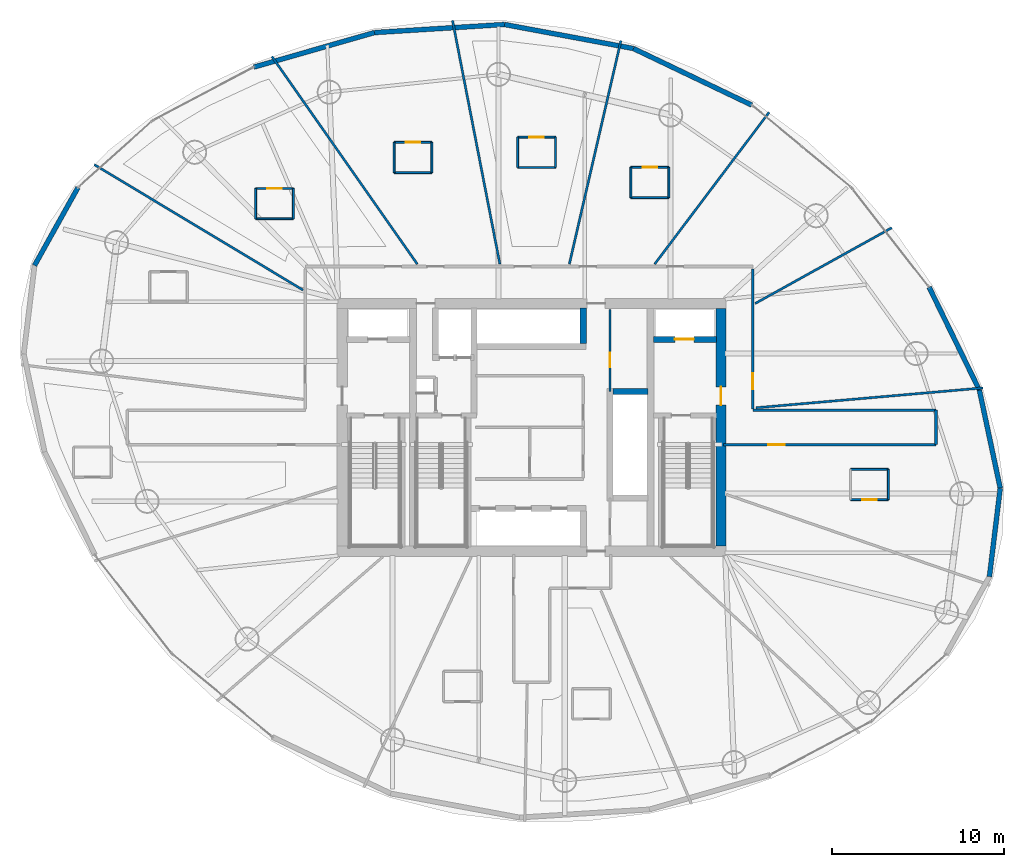
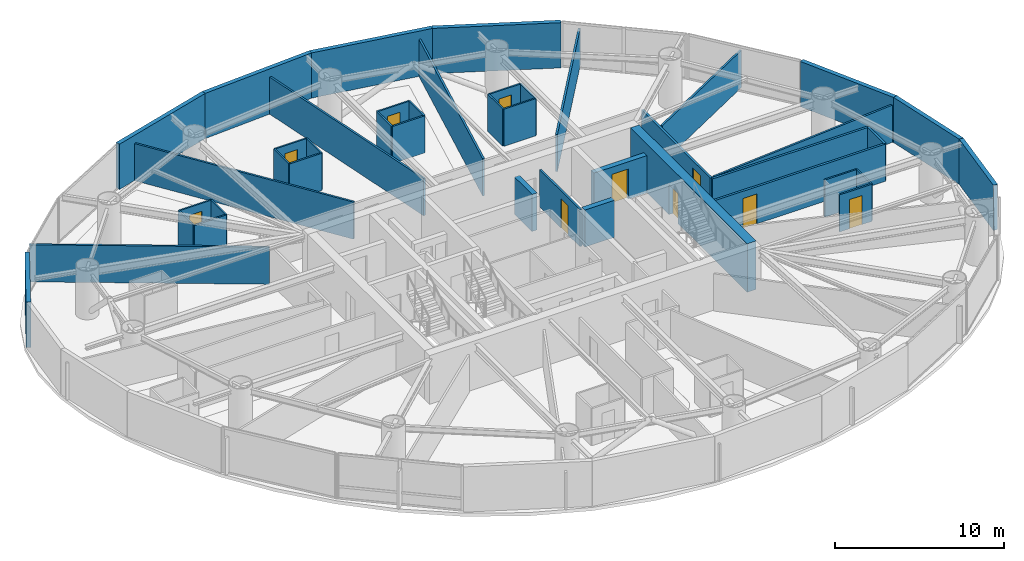
# One storey, part 16 of 20: 43 walls, 10 doors, 10 openings.
"""IFC4 building model written with IfcOpenShell, lengths in metres."""

from ifc_helpers import new_model, si_unit, direction, frame, frame_2d, origin, place, context, subcontext, project, spatial, rectangle, extrude, material, layer, layer_set, type_object, element, fill, save


model = new_model("IFC4")

# Units and contexts
model_context = context("Model", 3, precision=1e-05, world=origin(), true_north=direction((0.0, 1.0)))
body_context = subcontext(model_context, "Body", "Model", "MODEL_VIEW")
ifc_project = project(units=[si_unit("LENGTHUNIT", "METRE"), si_unit("AREAUNIT", "SQUARE_METRE"), si_unit("VOLUMEUNIT", "CUBIC_METRE"), si_unit("PLANEANGLEUNIT", "RADIAN"), si_unit("MASSUNIT", "GRAM", prefix="KILO")], contexts=[model_context])

# Site, building, storey
site_placement = place(None, origin())
site = spatial("IfcSite", under=ifc_project, at=site_placement, CompositionType="ELEMENT")
building_placement = place(site_placement, origin())
building = spatial("IfcBuilding", under=site, at=building_placement, Name="Bramvorn Convention Spire", CompositionType="ELEMENT")
storey_placement = place(building_placement, frame((0.0, 0.0, 106.300048828125)))
storey = spatial("IfcBuildingStorey", under=building, at=storey_placement, Name="L25", CompositionType="ELEMENT", Elevation=106.300048828125)

# Wall, opening, door
ifc_material_1 = material(Name="Concrete C60/70", Category="concrete")
ifc_layer_1 = layer(ifc_material_1, 0.60009765625)
ifc_layer_set_1 = layer_set([ifc_layer_1], Name="Concrete C60/70 - WL-CORE-600")
wall_type_1 = type_object("IfcWallType", Name="WL-CORE-600", PredefinedType="SHEAR", material=ifc_layer_set_1)
wall_1_placement = place(storey_placement, frame((49.0, 19.10009765625, 0.0), z_axis=(0.0, 0.0, 1.0), x_axis=(0.0, 1.0, 0.0)))
wall_1 = element("IfcWall", 1, at=wall_1_placement, inside=storey, type_object=wall_type_1, Name="L25 East RC core shear wall", PredefinedType="SHEAR", context=body_context, shape_type="SweptSolid", body=[
    extrude(rectangle(XDim=13.7998046875, YDim=0.60009765625, at=frame_2d((6.89990234375, 0.0))), origin(), (0.0, 0.0, 1.0), 3.5),
])
opening_1_placement = place(wall_1_placement, frame((8.199951171875, 0.0, 0.0)))
opening_1 = element("IfcOpeningElement", 2, at=opening_1_placement, cuts=wall_1, Name="Opening DL-105", PredefinedType="OPENING", context=body_context, shape_type="SweptSolid", body=[
    extrude(rectangle(XDim=1.050048828125, YDim=2.14990234375, at=frame_2d((0.52490234375, 1.074951171875))), frame((0.0, 0.31005859375, 0.0), z_axis=(0.0, -1.0, 0.0), x_axis=(1.0, 0.0, 0.0)), (0.0, 0.0, 1.0), 0.6201171875),
])
ifc_material_2 = material(Name="Smoke-Sealed Fire Lobby Timber-Core Door", Category="wood")
door_type_1 = type_object("IfcDoorType", Name="DR-LOBBY-1050", OperationType="NOTDEFINED", PredefinedType="DOOR", material=ifc_material_2)
door_1_placement = place(opening_1_placement, origin())
door_1 = element("IfcDoor", 3, at=door_1_placement, inside=storey, type_object=door_type_1, Name="L25 East Firefighting Lobby corridor door", OperationType="SINGLE_SWING_LEFT", OverallHeight=2.14990234375, OverallWidth=1.050048828125, PredefinedType="DOOR", context=body_context, shape_type="SweptSolid", body=[
    extrude(rectangle(XDim=1.050048828125, YDim=2.14990234375, at=frame_2d((0.52490234375, 1.074951171875))), frame((0.0, 0.02490234375, 0.0), z_axis=(0.0, -1.0, 0.0), x_axis=(1.0, 0.0, 0.0)), (0.0, 0.0, 1.0), 0.050048828125),
])
fill(opening_1, door_1)

ifc_material_3 = material(Name="Concrete C50/60", Category="concrete")
ifc_layer_2 = layer(ifc_material_3, 0.35009765625)
ifc_layer_set_2 = layer_set([ifc_layer_2], Name="Concrete C50/60 - WL-CORE-INT-350")
wall_type_2 = type_object("IfcWallType", Name="WL-CORE-INT-350", PredefinedType="SHEAR", material=ifc_layer_set_2)
wall_2_placement = place(storey_placement, frame((45.080078125, 31.1201171875, 0.0), z_axis=(0.0, 0.0, 1.0), x_axis=(1.0, 0.0, 0.0)))
wall_2 = element("IfcWall", 4, at=wall_2_placement, inside=storey, type_object=wall_type_2, Name="L25 FE2 shaft front wall", PredefinedType="SHEAR", context=body_context, shape_type="SweptSolid", body=[
    extrude(rectangle(XDim=3.669921875, YDim=0.35009765625, at=frame_2d((1.8349609375, 0.0))), origin(), (0.0, 0.0, 1.0), 2.675048828125),
])
opening_2_placement = place(wall_2_placement, frame((1.25, 0.0, 0.0)))
opening_2 = element("IfcOpeningElement", 5, at=opening_2_placement, cuts=wall_2, Name="Opening LD-110", PredefinedType="OPENING", context=body_context, shape_type="SweptSolid", body=[
    extrude(rectangle(XDim=1.10009765625, YDim=2.14990234375, at=frame_2d((0.550048828125, 1.074951171875))), frame((0.0, 0.18505859375, 0.0), z_axis=(0.0, -1.0, 0.0), x_axis=(1.0, 0.0, 0.0)), (0.0, 0.0, 1.0), 0.3701171875),
])
ifc_material_4 = material(Name="Firefighting & Service Lift Sliding Landing Door", Category="steel")
door_type_2 = type_object("IfcDoorType", Name="DR-LIFT-LD-1100", OperationType="NOTDEFINED", PredefinedType="DOOR", material=ifc_material_4)
door_2_placement = place(opening_2_placement, origin())
door_2 = element("IfcDoor", 6, at=door_2_placement, inside=storey, type_object=door_type_2, Name="L25 Lift FE2 Sliding Landing Door", OperationType="SLIDING_TO_LEFT", OverallHeight=2.14990234375, OverallWidth=1.10009765625, PredefinedType="DOOR", context=body_context, shape_type="SweptSolid", body=[
    extrude(rectangle(XDim=1.10009765625, YDim=2.14990234375, at=frame_2d((0.550048828125, 1.074951171875))), frame((0.0, 0.02490234375, 0.0), z_axis=(0.0, -1.0, 0.0), x_axis=(1.0, 0.0, 0.0)), (0.0, 0.0, 1.0), 0.050048828125),
])
fill(opening_2, door_2)

# Walls
wall_3_placement = place(storey_placement, frame((42.719970703125, 28.10009765625, 0.0), z_axis=(0.0, 0.0, 1.0), x_axis=(1.0, 0.0, 0.0)))
element("IfcWall", 7, at=wall_3_placement, inside=storey, type_object=wall_type_2, Name="L25 High-rise lift bank north wall", PredefinedType="SHEAR", context=body_context, shape_type="SweptSolid", body=[
    extrude(rectangle(XDim=2.030029296875, YDim=0.35009765625, at=frame_2d((1.01513671875, 0.0))), origin(), (0.0, 0.0, 1.0), 2.675048828125),
])
wall_4_placement = place(storey_placement, frame((41.0, 30.8701171875, 0.0), z_axis=(0.0, 0.0, 1.0), x_axis=(0.0, 1.0, 0.0)))
element("IfcWall", 8, at=wall_4_placement, inside=storey, type_object=wall_type_2, Name="L25 Low-rise bank east cheek wall", PredefinedType="SHEAR", context=body_context, shape_type="SweptSolid", body=[
    extrude(rectangle(XDim=2.079833984375, YDim=0.35009765625, at=frame_2d((1.0400390625, 0.0))), origin(), (0.0, 0.0, 1.0), 2.675048828125),
])
ifc_material_5 = material(Name="Precast Concrete C40/50 with Bronze Terracotta Rainscreen", Category="masonry")
ifc_layer_3 = layer(ifc_material_5, 0.300048828125)
ifc_layer_set_3 = layer_set([ifc_layer_3], Name="Precast Concrete C40/50 with Bronze Terracotta Rainscreen - WL-EXT-BRONZE-300")
wall_type_3 = type_object("IfcWallType", Name="WL-EXT-BRONZE-300", PredefinedType="SOLIDWALL", material=ifc_layer_set_3)
wall_5_placement = place(storey_placement, frame((65.23095703125, 22.466552734375, 0.0), z_axis=(0.0, 0.0, 1.0), x_axis=(-0.121357138015, -0.992608908409, 0.0)))
element("IfcWall", 9, at=wall_5_placement, inside=storey, type_object=wall_type_3, Name="L25 expressed bronze Gothic lancet pier wall 01", PredefinedType="SOLIDWALL", context=body_context, shape_type="SweptSolid", body=[
    extrude(rectangle(XDim=5.17431640625, YDim=0.280029296875, at=frame_2d((2.587158203125, 0.0))), origin(), (0.0, 0.0, 1.0), 3.260009765625),
])
wall_6_placement = place(storey_placement, frame((64.021240234375, 28.162109375, 0.0), z_axis=(0.0, 0.0, 1.0), x_axis=(0.207761969704, -0.978179412963, 0.0)))
element("IfcWall", 10, at=wall_6_placement, inside=storey, type_object=wall_type_3, Name="L25 expressed bronze Gothic lancet pier wall 02", PredefinedType="SOLIDWALL", context=body_context, shape_type="SweptSolid", body=[
    extrude(rectangle(XDim=5.822509765625, YDim=0.280029296875, at=frame_2d((2.9111328125, 0.0))), origin(), (0.0, 0.0, 1.0), 3.260009765625),
])
wall_7_placement = place(storey_placement, frame((61.095458984375, 34.15087890625, 0.0), z_axis=(0.0, 0.0, 1.0), x_axis=(0.438960472237, -0.89850637383, 0.0)))
element("IfcWall", 11, at=wall_7_placement, inside=storey, type_object=wall_type_3, Name="L25 expressed bronze Gothic lancet pier wall 03", PredefinedType="SOLIDWALL", context=body_context, shape_type="SweptSolid", body=[
    extrude(rectangle(XDim=6.665283203125, YDim=0.280029296875, at=frame_2d((3.33251953125, 0.0))), origin(), (0.0, 0.0, 1.0), 3.260009765625),
])
wall_8_placement = place(storey_placement, frame((43.9130859375, 48.017822265625, 0.0), z_axis=(0.0, 0.0, 1.0), x_axis=(0.902228031643, -0.431259294298, 0.0)))
element("IfcWall", 12, at=wall_8_placement, inside=storey, type_object=wall_type_3, Name="L25 expressed bronze Gothic lancet pier wall 06", PredefinedType="SOLIDWALL", context=body_context, shape_type="SweptSolid", body=[
    extrude(rectangle(XDim=7.61767578125, YDim=0.280029296875, at=frame_2d((3.808837890625, 0.0))), origin(), (0.0, 0.0, 1.0), 3.260009765625),
])
wall_9_placement = place(storey_placement, frame((36.424560546875, 49.412841796875, 0.0), z_axis=(0.0, 0.0, 1.0), x_axis=(0.98308740038, -0.183137006676, 0.0)))
element("IfcWall", 13, at=wall_9_placement, inside=storey, type_object=wall_type_3, Name="L25 expressed bronze Gothic lancet pier wall 07", PredefinedType="SOLIDWALL", context=body_context, shape_type="SweptSolid", body=[
    extrude(rectangle(XDim=7.617431640625, YDim=0.280029296875, at=frame_2d((3.80859375, 0.0))), origin(), (0.0, 0.0, 1.0), 3.260009765625),
])
wall_10_placement = place(storey_placement, frame((28.869873046875, 48.944091796875, 0.0), z_axis=(0.0, 0.0, 1.0), x_axis=(0.99808058992, 0.061928475073, 0.0)))
element("IfcWall", 14, at=wall_10_placement, inside=storey, type_object=wall_type_3, Name="L25 expressed bronze Gothic lancet pier wall 08", PredefinedType="SOLIDWALL", context=body_context, shape_type="SweptSolid", body=[
    extrude(rectangle(XDim=7.5693359375, YDim=0.280029296875, at=frame_2d((3.78466796875, 0.0))), origin(), (0.0, 0.0, 1.0), 3.260009765625),
])
wall_11_placement = place(storey_placement, frame((21.859619140625, 46.937255859375, 0.0), z_axis=(0.0, 0.0, 1.0), x_axis=(0.961382314176, 0.275216362141, 0.0)))
element("IfcWall", 15, at=wall_11_placement, inside=storey, type_object=wall_type_3, Name="L25 expressed bronze Gothic lancet pier wall 09", PredefinedType="SOLIDWALL", context=body_context, shape_type="SweptSolid", body=[
    extrude(rectangle(XDim=7.291748046875, YDim=0.280029296875, at=frame_2d((3.64599609375, 0.0))), origin(), (0.0, 0.0, 1.0), 3.260009765625),
])
wall_12_placement = place(storey_placement, frame((9.114990234375, 35.4130859375, 0.0), z_axis=(0.0, 0.0, 1.0), x_axis=(0.486776225007, 0.873526706385, 0.0)))
element("IfcWall", 16, at=wall_12_placement, inside=storey, type_object=wall_type_3, Name="L25 expressed bronze Gothic lancet pier wall 12", PredefinedType="SOLIDWALL", context=body_context, shape_type="SweptSolid", body=[
    extrude(rectangle(XDim=5.174560546875, YDim=0.280029296875, at=frame_2d((2.58740234375, 0.0))), origin(), (0.0, 0.0, 1.0), 3.260009765625),
])
ifc_material_6 = material(Name="Lightweight En-Suite & Wet-Wall Partition", Category="gypsum")
ifc_layer_4 = layer(ifc_material_6, 0.110107421875)
ifc_layer_set_4 = layer_set([ifc_layer_4], Name="Lightweight En-Suite & Wet-Wall Partition - WL-PART-110")
wall_type_4 = type_object("IfcWallType", Name="WL-PART-110", PredefinedType="PARTITIONING", material=ifc_layer_set_4)
wall_13_placement = place(storey_placement, frame((43.77099609375, 39.3544921875, 0.0), z_axis=(0.0, 0.0, 1.0), x_axis=(1.0, 0.0, 0.0)))
element("IfcWall", 17, at=wall_13_placement, inside=storey, type_object=wall_type_4, Name="Hotel Suite 2503 en-suite south wall", PredefinedType="PARTITIONING", context=body_context, shape_type="SweptSolid", body=[
    extrude(rectangle(XDim=2.199951171875, YDim=0.110107421875, at=frame_2d((1.10009765625, 0.0))), origin(), (0.0, 0.0, 1.0), 2.675048828125),
])

# Wall, opening, door
wall_14_placement = place(storey_placement, frame((43.77099609375, 41.114501953125, 0.0), z_axis=(0.0, 0.0, 1.0), x_axis=(1.0, 0.0, 0.0)))
wall_14 = element("IfcWall", 18, at=wall_14_placement, inside=storey, type_object=wall_type_4, Name="Hotel Suite 2503 en-suite north wall", PredefinedType="PARTITIONING", context=body_context, shape_type="SweptSolid", body=[
    extrude(rectangle(XDim=2.199951171875, YDim=0.110107421875, at=frame_2d((1.10009765625, 0.0))), origin(), (0.0, 0.0, 1.0), 2.675048828125),
])
opening_3_placement = place(wall_14_placement, frame((0.679931640625, 0.0, 0.0)))
opening_3 = element("IfcOpeningElement", 19, at=opening_3_placement, cuts=wall_14, Name="Opening DI-085", PredefinedType="OPENING", context=body_context, shape_type="SweptSolid", body=[
    extrude(rectangle(XDim=0.85009765625, YDim=2.10009765625, at=frame_2d((0.425048828125, 1.050048828125))), frame((0.0, 0.06494140625, 0.0), z_axis=(0.0, -1.0, 0.0), x_axis=(1.0, 0.0, 0.0)), (0.0, 0.0, 1.0), 0.130126953125),
])
ifc_material_7 = material(Name="En-Suite & Restroom Privacy Door", Category="wood")
door_type_3 = type_object("IfcDoorType", Name="DR-INT-850", OperationType="NOTDEFINED", PredefinedType="DOOR", material=ifc_material_7)
door_3_placement = place(opening_3_placement, origin())
door_3 = element("IfcDoor", 20, at=door_3_placement, inside=storey, type_object=door_type_3, Name="Hotel Suite 2503 En-Suite Bathroom door", OperationType="SINGLE_SWING_LEFT", OverallHeight=2.10009765625, OverallWidth=0.85009765625, PredefinedType="DOOR", context=body_context, shape_type="SweptSolid", body=[
    extrude(rectangle(XDim=0.85009765625, YDim=2.10009765625, at=frame_2d((0.425048828125, 1.050048828125))), frame((0.0, 0.02490234375, 0.0), z_axis=(0.0, -1.0, 0.0), x_axis=(1.0, 0.0, 0.0)), (0.0, 0.0, 1.0), 0.050048828125),
])
fill(opening_3, door_3)

# Walls
for number, where, z_axis, x_axis, name in (
    (21, (43.77099609375, 39.3544921875, 0.0), (0.0, 0.0, 1.0), (0.0, 1.0, 0.0), "Hotel Suite 2503 en-suite west wall"),
    (22, (45.970947265625, 39.3544921875, 0.0), (0.0, 0.0, 1.0), (0.0, 1.0, 0.0), "Hotel Suite 2503 en-suite east wall"),
):
    element("IfcWall", number, at=place(storey_placement, frame(where, z_axis=z_axis, x_axis=x_axis)), inside=storey, type_object=wall_type_4, Name=name, PredefinedType="PARTITIONING", context=body_context, shape_type="SweptSolid", body=[
        extrude(rectangle(XDim=1.760009765625, YDim=0.110107421875, at=frame_2d((0.8798828125, 0.0))), origin(), (0.0, 0.0, 1.0), 2.675048828125),
    ])
wall_15_placement = place(storey_placement, frame((37.18701171875, 41.105712890625, 0.0), z_axis=(0.0, 0.0, 1.0), x_axis=(1.0, 0.0, 0.0)))
element("IfcWall", 23, at=wall_15_placement, inside=storey, type_object=wall_type_4, Name="Hotel Suite 2504 en-suite south wall", PredefinedType="PARTITIONING", context=body_context, shape_type="SweptSolid", body=[
    extrude(rectangle(XDim=2.2001953125, YDim=0.110107421875, at=frame_2d((1.10009765625, 0.0))), origin(), (0.0, 0.0, 1.0), 2.675048828125),
])

# Wall, opening, door
wall_16_placement = place(storey_placement, frame((37.18701171875, 42.86572265625, 0.0), z_axis=(0.0, 0.0, 1.0), x_axis=(1.0, 0.0, 0.0)))
wall_16 = element("IfcWall", 24, at=wall_16_placement, inside=storey, type_object=wall_type_4, Name="Hotel Suite 2504 en-suite north wall", PredefinedType="PARTITIONING", context=body_context, shape_type="SweptSolid", body=[
    extrude(rectangle(XDim=2.2001953125, YDim=0.110107421875, at=frame_2d((1.10009765625, 0.0))), origin(), (0.0, 0.0, 1.0), 2.675048828125),
])
opening_4_placement = place(wall_16_placement, frame((0.679931640625, 0.0, 0.0)))
opening_4 = element("IfcOpeningElement", 25, at=opening_4_placement, cuts=wall_16, Name="Opening DI-085", PredefinedType="OPENING", context=body_context, shape_type="SweptSolid", body=[
    extrude(rectangle(XDim=0.85009765625, YDim=2.10009765625, at=frame_2d((0.425048828125, 1.050048828125))), frame((0.0, 0.06494140625, 0.0), z_axis=(0.0, -1.0, 0.0), x_axis=(1.0, 0.0, 0.0)), (0.0, 0.0, 1.0), 0.130126953125),
])
door_4_placement = place(opening_4_placement, origin())
door_4 = element("IfcDoor", 26, at=door_4_placement, inside=storey, type_object=door_type_3, Name="Hotel Suite 2504 En-Suite Bathroom door", OperationType="SINGLE_SWING_LEFT", OverallHeight=2.10009765625, OverallWidth=0.85009765625, PredefinedType="DOOR", context=body_context, shape_type="SweptSolid", body=[
    extrude(rectangle(XDim=0.85009765625, YDim=2.10009765625, at=frame_2d((0.425048828125, 1.050048828125))), frame((0.0, 0.02490234375, 0.0), z_axis=(0.0, -1.0, 0.0), x_axis=(1.0, 0.0, 0.0)), (0.0, 0.0, 1.0), 0.050048828125),
])
fill(opening_4, door_4)

# Walls
for number, where, z_axis, x_axis, name in (
    (27, (37.18701171875, 41.105712890625, 0.0), (0.0, 0.0, 1.0), (0.0, 1.0, 0.0), "Hotel Suite 2504 en-suite west wall"),
    (28, (39.38720703125, 41.105712890625, 0.0), (0.0, 0.0, 1.0), (0.0, 1.0, 0.0), "Hotel Suite 2504 en-suite east wall"),
):
    element("IfcWall", number, at=place(storey_placement, frame(where, z_axis=z_axis, x_axis=x_axis)), inside=storey, type_object=wall_type_4, Name=name, PredefinedType="PARTITIONING", context=body_context, shape_type="SweptSolid", body=[
        extrude(rectangle(XDim=1.760009765625, YDim=0.110107421875, at=frame_2d((0.8798828125, 0.0))), origin(), (0.0, 0.0, 1.0), 2.675048828125),
    ])
wall_17_placement = place(storey_placement, frame((30.00634765625, 40.802978515625, 0.0), z_axis=(0.0, 0.0, 1.0), x_axis=(1.0, 0.0, 0.0)))
element("IfcWall", 29, at=wall_17_placement, inside=storey, type_object=wall_type_4, Name="Hotel Suite 2505 en-suite south wall", PredefinedType="PARTITIONING", context=body_context, shape_type="SweptSolid", body=[
    extrude(rectangle(XDim=2.199951171875, YDim=0.110107421875, at=frame_2d((1.10009765625, 0.0))), origin(), (0.0, 0.0, 1.0), 2.675048828125),
])

# Wall, opening, door
wall_18_placement = place(storey_placement, frame((30.00634765625, 42.56298828125, 0.0), z_axis=(0.0, 0.0, 1.0), x_axis=(1.0, 0.0, 0.0)))
wall_18 = element("IfcWall", 30, at=wall_18_placement, inside=storey, type_object=wall_type_4, Name="Hotel Suite 2505 en-suite north wall", PredefinedType="PARTITIONING", context=body_context, shape_type="SweptSolid", body=[
    extrude(rectangle(XDim=2.199951171875, YDim=0.110107421875, at=frame_2d((1.10009765625, 0.0))), origin(), (0.0, 0.0, 1.0), 2.675048828125),
])
opening_5_placement = place(wall_18_placement, frame((0.679931640625, 0.0, 0.0)))
opening_5 = element("IfcOpeningElement", 31, at=opening_5_placement, cuts=wall_18, Name="Opening DI-085", PredefinedType="OPENING", context=body_context, shape_type="SweptSolid", body=[
    extrude(rectangle(XDim=0.85009765625, YDim=2.10009765625, at=frame_2d((0.425048828125, 1.050048828125))), frame((0.0, 0.06494140625, 0.0), z_axis=(0.0, -1.0, 0.0), x_axis=(1.0, 0.0, 0.0)), (0.0, 0.0, 1.0), 0.130126953125),
])
door_5_placement = place(opening_5_placement, origin())
door_5 = element("IfcDoor", 32, at=door_5_placement, inside=storey, type_object=door_type_3, Name="Hotel Suite 2505 En-Suite Bathroom door", OperationType="SINGLE_SWING_LEFT", OverallHeight=2.10009765625, OverallWidth=0.85009765625, PredefinedType="DOOR", context=body_context, shape_type="SweptSolid", body=[
    extrude(rectangle(XDim=0.85009765625, YDim=2.10009765625, at=frame_2d((0.425048828125, 1.050048828125))), frame((0.0, 0.02490234375, 0.0), z_axis=(0.0, -1.0, 0.0), x_axis=(1.0, 0.0, 0.0)), (0.0, 0.0, 1.0), 0.050048828125),
])
fill(opening_5, door_5)

# Walls
for number, where, z_axis, x_axis, name in (
    (33, (30.00634765625, 40.802978515625, 0.0), (0.0, 0.0, 1.0), (0.0, 1.0, 0.0), "Hotel Suite 2505 en-suite west wall"),
    (34, (32.206298828125, 40.802978515625, 0.0), (0.0, 0.0, 1.0), (0.0, 1.0, 0.0), "Hotel Suite 2505 en-suite east wall"),
):
    element("IfcWall", number, at=place(storey_placement, frame(where, z_axis=z_axis, x_axis=x_axis)), inside=storey, type_object=wall_type_4, Name=name, PredefinedType="PARTITIONING", context=body_context, shape_type="SweptSolid", body=[
        extrude(rectangle(XDim=1.760009765625, YDim=0.110107421875, at=frame_2d((0.8798828125, 0.0))), origin(), (0.0, 0.0, 1.0), 2.675048828125),
    ])
wall_19_placement = place(storey_placement, frame((21.9580078125, 38.12451171875, 0.0), z_axis=(0.0, 0.0, 1.0), x_axis=(1.0, 0.0, 0.0)))
element("IfcWall", 35, at=wall_19_placement, inside=storey, type_object=wall_type_4, Name="Hotel Suite 2506 en-suite south wall", PredefinedType="PARTITIONING", context=body_context, shape_type="SweptSolid", body=[
    extrude(rectangle(XDim=2.199951171875, YDim=0.110107421875, at=frame_2d((1.10009765625, 0.0))), origin(), (0.0, 0.0, 1.0), 2.675048828125),
])

# Wall, opening, door
wall_20_placement = place(storey_placement, frame((21.9580078125, 39.884521484375, 0.0), z_axis=(0.0, 0.0, 1.0), x_axis=(1.0, 0.0, 0.0)))
wall_20 = element("IfcWall", 36, at=wall_20_placement, inside=storey, type_object=wall_type_4, Name="Hotel Suite 2506 en-suite north wall", PredefinedType="PARTITIONING", context=body_context, shape_type="SweptSolid", body=[
    extrude(rectangle(XDim=2.199951171875, YDim=0.110107421875, at=frame_2d((1.10009765625, 0.0))), origin(), (0.0, 0.0, 1.0), 2.675048828125),
])
opening_6_placement = place(wall_20_placement, frame((0.679931640625, 0.0, 0.0)))
opening_6 = element("IfcOpeningElement", 37, at=opening_6_placement, cuts=wall_20, Name="Opening DI-085", PredefinedType="OPENING", context=body_context, shape_type="SweptSolid", body=[
    extrude(rectangle(XDim=0.85009765625, YDim=2.10009765625, at=frame_2d((0.425048828125, 1.050048828125))), frame((0.0, 0.06494140625, 0.0), z_axis=(0.0, -1.0, 0.0), x_axis=(1.0, 0.0, 0.0)), (0.0, 0.0, 1.0), 0.130126953125),
])
door_6_placement = place(opening_6_placement, origin())
door_6 = element("IfcDoor", 38, at=door_6_placement, inside=storey, type_object=door_type_3, Name="Hotel Suite 2506 En-Suite Bathroom door", OperationType="SINGLE_SWING_LEFT", OverallHeight=2.10009765625, OverallWidth=0.85009765625, PredefinedType="DOOR", context=body_context, shape_type="SweptSolid", body=[
    extrude(rectangle(XDim=0.85009765625, YDim=2.10009765625, at=frame_2d((0.425048828125, 1.050048828125))), frame((0.0, 0.02490234375, 0.0), z_axis=(0.0, -1.0, 0.0), x_axis=(1.0, 0.0, 0.0)), (0.0, 0.0, 1.0), 0.050048828125),
])
fill(opening_6, door_6)

# Walls
for number, where, z_axis, x_axis, name in (
    (39, (21.9580078125, 38.12451171875, 0.0), (0.0, 0.0, 1.0), (0.0, 1.0, 0.0), "Hotel Suite 2506 en-suite west wall"),
    (40, (24.157958984375, 38.12451171875, 0.0), (0.0, 0.0, 1.0), (0.0, 1.0, 0.0), "Hotel Suite 2506 en-suite east wall"),
):
    element("IfcWall", number, at=place(storey_placement, frame(where, z_axis=z_axis, x_axis=x_axis)), inside=storey, type_object=wall_type_4, Name=name, PredefinedType="PARTITIONING", context=body_context, shape_type="SweptSolid", body=[
        extrude(rectangle(XDim=1.760009765625, YDim=0.110107421875, at=frame_2d((0.8798828125, 0.0))), origin(), (0.0, 0.0, 1.0), 2.675048828125),
    ])

# Wall, opening, door
wall_21_placement = place(storey_placement, frame((56.53173828125, 21.80517578125, 0.0), z_axis=(0.0, 0.0, 1.0), x_axis=(1.0, 0.0, 0.0)))
wall_21 = element("IfcWall", 41, at=wall_21_placement, inside=storey, type_object=wall_type_4, Name="Hotel Suite 2515 en-suite south wall", PredefinedType="PARTITIONING", context=body_context, shape_type="SweptSolid", body=[
    extrude(rectangle(XDim=2.199951171875, YDim=0.110107421875, at=frame_2d((1.10009765625, 0.0))), origin(), (0.0, 0.0, 1.0), 2.675048828125),
])
opening_7_placement = place(wall_21_placement, frame((0.679931640625, 0.0, 0.0)))
opening_7 = element("IfcOpeningElement", 42, at=opening_7_placement, cuts=wall_21, Name="Opening DI-085", PredefinedType="OPENING", context=body_context, shape_type="SweptSolid", body=[
    extrude(rectangle(XDim=0.85009765625, YDim=2.10009765625, at=frame_2d((0.425048828125, 1.050048828125))), frame((0.0, 0.06494140625, 0.0), z_axis=(0.0, -1.0, 0.0), x_axis=(1.0, 0.0, 0.0)), (0.0, 0.0, 1.0), 0.130126953125),
])
door_7_placement = place(opening_7_placement, origin())
door_7 = element("IfcDoor", 43, at=door_7_placement, inside=storey, type_object=door_type_3, Name="Hotel Suite 2515 En-Suite Bathroom door", OperationType="SINGLE_SWING_LEFT", OverallHeight=2.10009765625, OverallWidth=0.85009765625, PredefinedType="DOOR", context=body_context, shape_type="SweptSolid", body=[
    extrude(rectangle(XDim=0.85009765625, YDim=2.10009765625, at=frame_2d((0.425048828125, 1.050048828125))), frame((0.0, 0.02490234375, 0.0), z_axis=(0.0, -1.0, 0.0), x_axis=(1.0, 0.0, 0.0)), (0.0, 0.0, 1.0), 0.050048828125),
])
fill(opening_7, door_7)

# Walls
wall_22_placement = place(storey_placement, frame((56.53173828125, 23.565185546875, 0.0), z_axis=(0.0, 0.0, 1.0), x_axis=(1.0, 0.0, 0.0)))
element("IfcWall", 44, at=wall_22_placement, inside=storey, type_object=wall_type_4, Name="Hotel Suite 2515 en-suite north wall", PredefinedType="PARTITIONING", context=body_context, shape_type="SweptSolid", body=[
    extrude(rectangle(XDim=2.199951171875, YDim=0.110107421875, at=frame_2d((1.10009765625, 0.0))), origin(), (0.0, 0.0, 1.0), 2.675048828125),
])
wall_23_placement = place(storey_placement, frame((58.731689453125, 21.80517578125, 0.0), z_axis=(0.0, 0.0, 1.0), x_axis=(0.0, 1.0, 0.0)))
element("IfcWall", 45, at=wall_23_placement, inside=storey, type_object=wall_type_4, Name="Hotel Suite 2515 en-suite east wall", PredefinedType="PARTITIONING", context=body_context, shape_type="SweptSolid", body=[
    extrude(rectangle(XDim=1.760009765625, YDim=0.110107421875, at=frame_2d((0.8798828125, 0.0))), origin(), (0.0, 0.0, 1.0), 2.675048828125),
])

# Wall, opening, door
ifc_material_8 = material(Name="Metal-Stud Demountable Office Partition", Category="gypsum")
ifc_layer_5 = layer(ifc_material_8, 0.1298828125)
ifc_layer_set_5 = layer_set([ifc_layer_5], Name="Metal-Stud Demountable Office Partition - WL-PART-130")
wall_type_5 = type_object("IfcWallType", Name="WL-PART-130", PredefinedType="PARTITIONING", material=ifc_layer_set_5)
wall_24_placement = place(storey_placement, frame((42.550048828125, 28.10009765625, 0.0), z_axis=(0.0, 0.0, 1.0), x_axis=(0.0, 1.0, 0.0)))
wall_24 = element("IfcWall", 46, at=wall_24_placement, inside=storey, type_object=wall_type_5, Name="L25 KA NE IDF wall", PredefinedType="PARTITIONING", context=body_context, shape_type="SweptSolid", body=[
    extrude(rectangle(XDim=4.75, YDim=0.1298828125, at=frame_2d((2.375, 0.0))), origin(), (0.0, 0.0, 1.0), 2.675048828125),
])
opening_8_placement = place(wall_24_placement, frame((1.39990234375, 0.0, 0.0)))
opening_8 = element("IfcOpeningElement", 47, at=opening_8_placement, cuts=wall_24, Name="Opening DC-085", PredefinedType="OPENING", context=body_context, shape_type="SweptSolid", body=[
    extrude(rectangle(XDim=0.85009765625, YDim=2.10009765625, at=frame_2d((0.425048828125, 1.050048828125))), frame((0.0, 0.074951171875, 0.0), z_axis=(0.0, -1.0, 0.0), x_axis=(1.0, 0.0, 0.0)), (0.0, 0.0, 1.0), 0.14990234375),
])
ifc_material_9 = material(Name="Fire-Rated Core Washroom & IDF Door", Category="wood")
door_type_4 = type_object("IfcDoorType", Name="DR-CORE-850", OperationType="NOTDEFINED", PredefinedType="DOOR", material=ifc_material_9)
door_8_placement = place(opening_8_placement, origin())
door_8 = element("IfcDoor", 48, at=door_8_placement, inside=storey, type_object=door_type_4, Name="L25 Core IDF & BMS Room door", OperationType="SINGLE_SWING_LEFT", OverallHeight=2.10009765625, OverallWidth=0.85009765625, PredefinedType="DOOR", context=body_context, shape_type="SweptSolid", body=[
    extrude(rectangle(XDim=0.85009765625, YDim=2.10009765625, at=frame_2d((0.425048828125, 1.050048828125))), frame((0.0, 0.02490234375, 0.0), z_axis=(0.0, -1.0, 0.0), x_axis=(1.0, 0.0, 0.0)), (0.0, 0.0, 1.0), 0.050048828125),
])
fill(opening_8, door_8)

# Walls
wall_25_placement = place(storey_placement, frame((51.0302734375, 27.139892578125, 0.0), z_axis=(0.0, 0.0, 1.0), x_axis=(0.996194117526, 0.087162378392, 0.0)))
element("IfcWall", 49, at=wall_25_placement, inside=storey, type_object=wall_type_5, Name="L25 Guestroom demising wall 1", PredefinedType="PARTITIONING", context=body_context, shape_type="SweptSolid", body=[
    extrude(rectangle(XDim=13.248779296875, YDim=0.1298828125, at=frame_2d((6.62451171875, 0.0))), origin(), (0.0, 0.0, 1.0), 2.675048828125),
])
wall_26_placement = place(storey_placement, frame((50.989990234375, 33.200439453125, 0.0), z_axis=(0.0, 0.0, 1.0), x_axis=(0.874615857377, 0.484816565337, 0.0)))
element("IfcWall", 50, at=wall_26_placement, inside=storey, type_object=wall_type_5, Name="L25 Guestroom demising wall 2", PredefinedType="PARTITIONING", context=body_context, shape_type="SweptSolid", body=[
    extrude(rectangle(XDim=9.0830078125, YDim=0.1298828125, at=frame_2d((4.54150390625, 0.0))), origin(), (0.0, 0.0, 1.0), 2.675048828125),
])
wall_27_placement = place(storey_placement, frame((45.151123046875, 35.489990234375, 0.0), z_axis=(0.0, 0.0, 1.0), x_axis=(0.601822667406, 0.798629749632, 0.0)))
element("IfcWall", 51, at=wall_27_placement, inside=storey, type_object=wall_type_5, Name="L25 Guestroom demising wall 3", PredefinedType="PARTITIONING", context=body_context, shape_type="SweptSolid", body=[
    extrude(rectangle(XDim=11.04931640625, YDim=0.1298828125, at=frame_2d((5.524658203125, 0.0))), origin(), (0.0, 0.0, 1.0), 2.675048828125),
])
wall_28_placement = place(storey_placement, frame((40.19091796875, 35.489990234375, 0.0), z_axis=(0.0, 0.0, 1.0), x_axis=(0.224945106158, 0.974371438013, 0.0)))
element("IfcWall", 52, at=wall_28_placement, inside=storey, type_object=wall_type_5, Name="L25 Guestroom demising wall 4", PredefinedType="PARTITIONING", context=body_context, shape_type="SweptSolid", body=[
    extrude(rectangle(XDim=13.3310546875, YDim=0.1298828125, at=frame_2d((6.66552734375, 0.0))), origin(), (0.0, 0.0, 1.0), 2.675048828125),
])
wall_29_placement = place(storey_placement, frame((36.1552734375, 35.489990234375, 0.0), z_axis=(0.0, 0.0, 1.0), x_axis=(-0.190815797317, 0.98162586126, 0.0)))
element("IfcWall", 53, at=wall_29_placement, inside=storey, type_object=wall_type_5, Name="L25 Guestroom demising wall 5", PredefinedType="PARTITIONING", context=body_context, shape_type="SweptSolid", body=[
    extrude(rectangle(XDim=14.4375, YDim=0.1298828125, at=frame_2d((7.21875, 0.0))), origin(), (0.0, 0.0, 1.0), 2.675048828125),
])
wall_30_placement = place(storey_placement, frame((31.35498046875, 35.489990234375, 0.0), z_axis=(0.0, 0.0, 1.0), x_axis=(-0.573570204907, 0.819156407557, 0.0)))
element("IfcWall", 54, at=wall_30_placement, inside=storey, type_object=wall_type_5, Name="L25 Guestroom demising wall 6", PredefinedType="PARTITIONING", context=body_context, shape_type="SweptSolid", body=[
    extrude(rectangle(XDim=14.73486328125, YDim=0.1298828125, at=frame_2d((7.367431640625, 0.0))), origin(), (0.0, 0.0, 1.0), 2.675048828125),
])
wall_31_placement = place(storey_placement, frame((24.7099609375, 33.9853515625, 0.0), z_axis=(0.0, 0.0, 1.0), x_axis=(-0.85716694246, 0.515038671125, 0.0)))
element("IfcWall", 55, at=wall_31_placement, inside=storey, type_object=wall_type_5, Name="L25 Guestroom demising wall 7", PredefinedType="PARTITIONING", context=body_context, shape_type="SweptSolid", body=[
    extrude(rectangle(XDim=14.149169921875, YDim=0.1298828125, at=frame_2d((7.07470703125, 0.0))), origin(), (0.0, 0.0, 1.0), 2.675048828125),
])

# Wall, opening, door
ifc_material_10 = material(Name="Acoustic Metal-Stud Tenant/Corridor Partition", Category="gypsum")
ifc_layer_6 = layer(ifc_material_10, 0.14990234375)
ifc_layer_set_6 = layer_set([ifc_layer_6], Name="Acoustic Metal-Stud Tenant/Corridor Partition - WL-PART-150")
wall_type_6 = type_object("IfcWallType", Name="WL-PART-150", PredefinedType="PARTITIONING", material=ifc_layer_set_6)
wall_32_placement = place(storey_placement, frame((50.85009765625, 27.080078125, 0.0), z_axis=(0.0, 0.0, 1.0), x_axis=(0.0, 1.0, 0.0)))
wall_32 = element("IfcWall", 56, at=wall_32_placement, inside=storey, type_object=wall_type_6, Name="L25 NE gallery cheek", PredefinedType="PARTITIONING", context=body_context, shape_type="SweptSolid", body=[
    extrude(rectangle(XDim=8.119873046875, YDim=0.14990234375, at=frame_2d((4.06005859375, 0.0))), origin(), (0.0, 0.0, 1.0), 2.675048828125),
])
opening_9_placement = place(wall_32_placement, frame((1.127197265625, 0.0, 0.0)))
opening_9 = element("IfcOpeningElement", 57, at=opening_9_placement, cuts=wall_32, Name="Opening DH-095", PredefinedType="OPENING", context=body_context, shape_type="SweptSolid", body=[
    extrude(rectangle(XDim=0.949951171875, YDim=2.14990234375, at=frame_2d((0.47509765625, 1.074951171875))), frame((0.0, 0.0849609375, 0.0), z_axis=(0.0, -1.0, 0.0), x_axis=(1.0, 0.0, 0.0)), (0.0, 0.0, 1.0), 0.169921875),
])
ifc_material_11 = material(Name="Solid-Core Acoustic Guestroom Entry Door", Category="wood")
door_type_5 = type_object("IfcDoorType", Name="DR-HOTEL-950", OperationType="NOTDEFINED", PredefinedType="DOOR", material=ifc_material_11)
door_9_placement = place(opening_9_placement, origin())
door_9 = element("IfcDoor", 58, at=door_9_placement, inside=storey, type_object=door_type_5, Name="L25 Hospitality Lounge 1 door", OperationType="SINGLE_SWING_RIGHT", OverallHeight=2.14990234375, OverallWidth=0.949951171875, PredefinedType="DOOR", context=body_context, shape_type="SweptSolid", body=[
    extrude(rectangle(XDim=0.949951171875, YDim=2.14990234375, at=frame_2d((0.47509765625, 1.074951171875))), frame((0.0, 0.02490234375, 0.0), z_axis=(0.0, -1.0, 0.0), x_axis=(1.0, 0.0, 0.0)), (0.0, 0.0, 1.0), 0.050048828125),
])
fill(opening_9, door_9)

# Wall
wall_33_placement = place(storey_placement, frame((50.85009765625, 27.0, 0.0), z_axis=(0.0, 0.0, 1.0), x_axis=(1.0, 0.0, 0.0)))
element("IfcWall", 59, at=wall_33_placement, inside=storey, type_object=wall_type_6, Name="L25 East wing spine north wall", PredefinedType="PARTITIONING", context=body_context, shape_type="SweptSolid", body=[
    extrude(rectangle(XDim=10.64990234375, YDim=0.14990234375, at=frame_2d((5.324951171875, 0.0))), origin(), (0.0, 0.0, 1.0), 2.675048828125),
])

# Wall, opening, door
wall_34_placement = place(storey_placement, frame((49.14990234375, 25.0, 0.0), z_axis=(0.0, 0.0, 1.0), x_axis=(1.0, 0.0, 0.0)))
wall_34 = element("IfcWall", 60, at=wall_34_placement, inside=storey, type_object=wall_type_6, Name="L25 East wing spine south wall", PredefinedType="PARTITIONING", context=body_context, shape_type="SweptSolid", body=[
    extrude(rectangle(XDim=12.35009765625, YDim=0.14990234375, at=frame_2d((6.175048828125, 0.0))), origin(), (0.0, 0.0, 1.0), 2.675048828125),
])
opening_10_placement = place(wall_34_placement, frame((2.612548828125, 0.0, 0.0)))
opening_10 = element("IfcOpeningElement", 61, at=opening_10_placement, cuts=wall_34, Name="Opening DH-095", PredefinedType="OPENING", context=body_context, shape_type="SweptSolid", body=[
    extrude(rectangle(XDim=0.949951171875, YDim=2.14990234375, at=frame_2d((0.47509765625, 1.074951171875))), frame((0.0, 0.0849609375, 0.0), z_axis=(0.0, -1.0, 0.0), x_axis=(1.0, 0.0, 0.0)), (0.0, 0.0, 1.0), 0.169921875),
])
door_10_placement = place(opening_10_placement, origin())
door_10 = element("IfcDoor", 62, at=door_10_placement, inside=storey, type_object=door_type_5, Name="Hotel Suite 2515 entry door", OperationType="SINGLE_SWING_LEFT", OverallHeight=2.14990234375, OverallWidth=0.949951171875, PredefinedType="DOOR", context=body_context, shape_type="SweptSolid", body=[
    extrude(rectangle(XDim=0.949951171875, YDim=2.14990234375, at=frame_2d((0.47509765625, 1.074951171875))), frame((0.0, 0.02490234375, 0.0), z_axis=(0.0, -1.0, 0.0), x_axis=(1.0, 0.0, 0.0)), (0.0, 0.0, 1.0), 0.050048828125),
])
fill(opening_10, door_10)

# Wall
wall_35_placement = place(storey_placement, frame((61.5, 25.0, 0.0), z_axis=(0.0, 0.0, 1.0), x_axis=(0.0, 1.0, 0.0)))
element("IfcWall", 63, at=wall_35_placement, inside=storey, type_object=wall_type_6, Name="L25 East wing spine end wall", PredefinedType="PARTITIONING", context=body_context, shape_type="SweptSolid", body=[
    extrude(rectangle(XDim=2.0, YDim=0.14990234375, at=frame_2d((1.0, 0.0))), origin(), (0.0, 0.0, 1.0), 2.675048828125),
])

save(model, "model.ifc")
